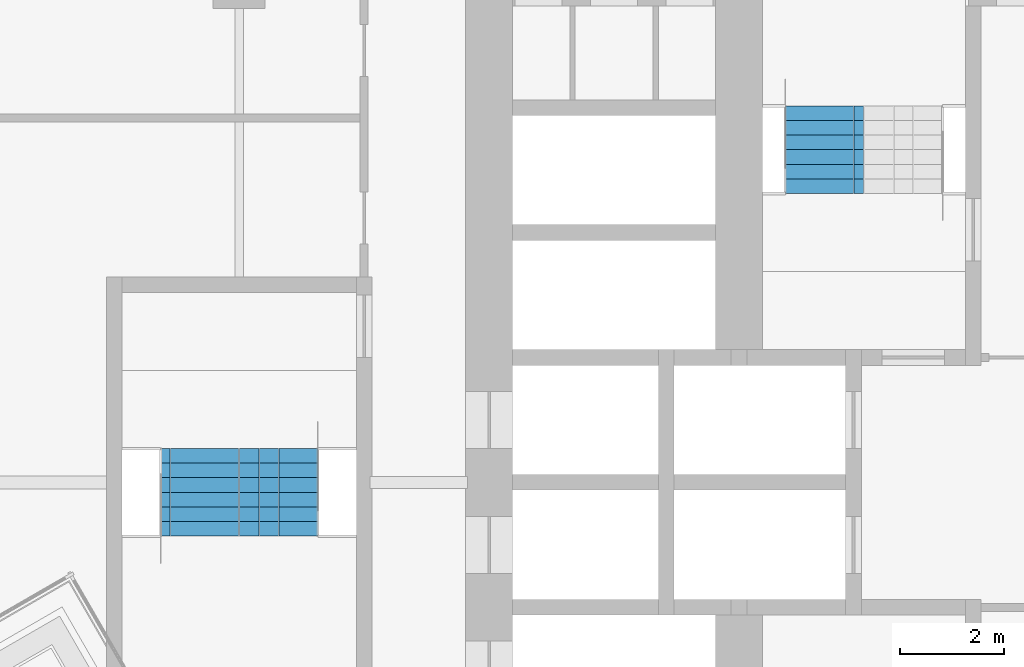
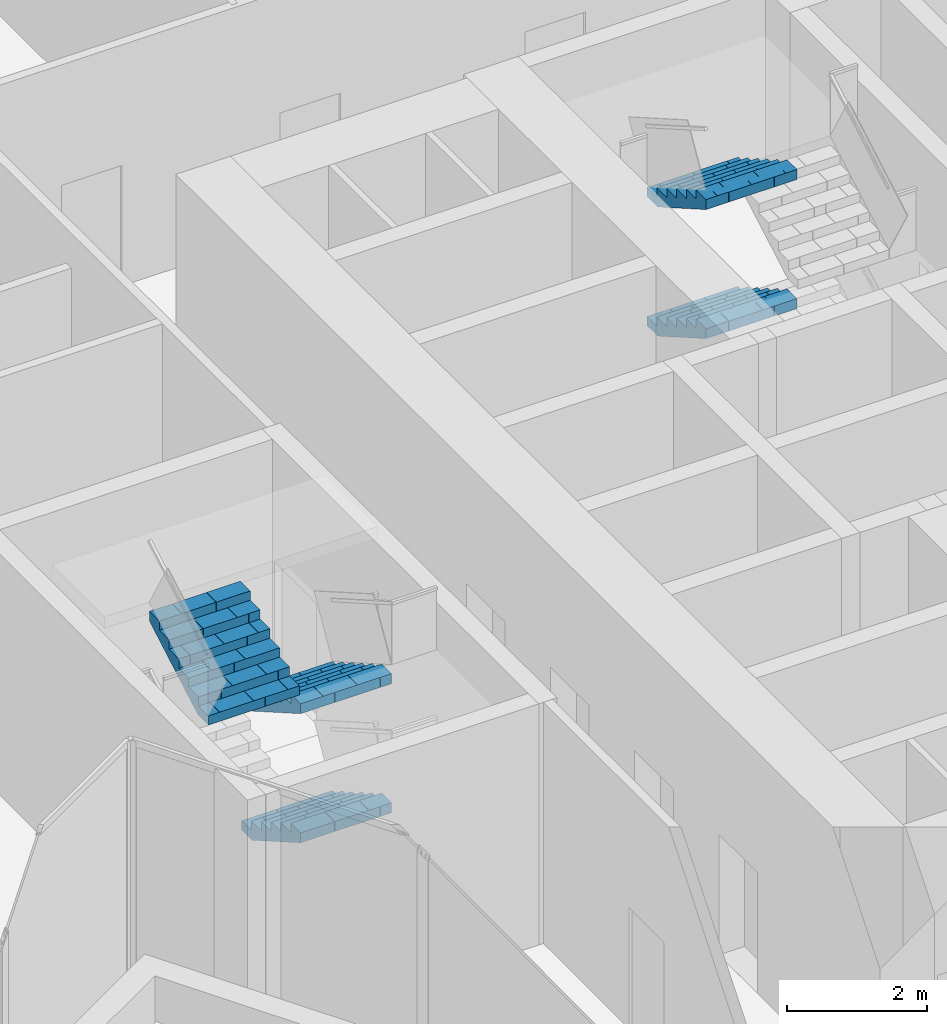
# One storey, part 22 of 27: 5 stair flights, 2 elements without a shape of their own.
"""IFC4 building model written with IfcOpenShell, lengths in metres."""

from ifc_helpers import new_model, si_unit, direction, frame, origin, place, context, subcontext, project, spatial, polyline, outline, extrude, material, type_object, element, aggregate, save


model = new_model("IFC4")

# Units and contexts
model_context = context("Model", 3, precision=1e-05, world=origin(), true_north=direction((0.0, 1.0)))
body_context = subcontext(model_context, "Body", "Model", "MODEL_VIEW")
ifc_project = project(units=[si_unit("LENGTHUNIT", "METRE"), si_unit("AREAUNIT", "SQUARE_METRE"), si_unit("VOLUMEUNIT", "CUBIC_METRE"), si_unit("PLANEANGLEUNIT", "RADIAN"), si_unit("MASSUNIT", "GRAM", prefix="KILO")], contexts=[model_context])

# Site, building, storey
site_placement = place(None, origin())
site = spatial("IfcSite", under=ifc_project, at=site_placement, CompositionType="ELEMENT")
building_placement = place(site_placement, origin())
building = spatial("IfcBuilding", under=site, at=building_placement, Name="Kolab Exchange Tower", CompositionType="ELEMENT")
storey_placement = place(building_placement, frame((0.0, 0.0, 122.89990234375)))
storey = spatial("IfcBuildingStorey", under=building, at=storey_placement, Name="L24", CompositionType="ELEMENT", Elevation=122.89990234375)

# Stair, stair flights
ifc_material = material(Name="Concrete C50/60", Category="concrete")
stair_type_1 = type_object("IfcStairType", Name="STAIR ST1 RISER 160.7", PredefinedType="DOUBLE_RETURN_STAIR", material=ifc_material)
stair_1_placement = place(storey_placement, origin())
stair_1 = element("IfcStair", 1, at=stair_1_placement, inside=storey, type_object=stair_type_1, Name="Stair 1", PredefinedType="DOUBLE_RETURN_STAIR")
stair_flight_type = type_object("IfcStairFlightType", Name="STAIR FLIGHT 1500 RISER 160.7", PredefinedType="STRAIGHT", material=ifc_material)
stair_flight_1_placement = place(storey_placement, frame((-7.9599609375, 7.22998046875, 1.125), z_axis=(0.0, 0.0, 1.0), x_axis=(0.0, -1.0, 0.0)))
stair_flight_1 = element("IfcStairFlight", 2, at=stair_flight_1_placement, type_object=stair_flight_type, Name="ST1 flight 2", NumberOfRisers=7, NumberOfTreads=6, PredefinedType="STRAIGHT", RiserHeight=0.160714286, TreadLength=0.28, context=body_context, shape_type="SweptSolid", body=[
    extrude(outline(polyline([(0.0, 0.0), (0.0, 0.16064453125), (0.280029296875, 0.16064453125), (0.280029296875, 0.321533203125), (0.56005859375, 0.321533203125), (0.56005859375, 0.482177734375), (0.840087890625, 0.482177734375), (0.840087890625, 0.642822265625), (1.1201171875, 0.642822265625), (1.1201171875, 0.803466796875), (1.39990234375, 0.803466796875), (1.39990234375, 0.96435546875), (1.679931640625, 0.96435546875), (1.679931640625, 1.125), (1.679931640625, 0.79150390625), (0.301025390625, 0.0), (0.0, 0.0)])), frame((0.0, 0.75, 0.0), z_axis=(0.0, -1.0, 0.0), x_axis=(1.0, 0.0, 0.0)), (0.0, 0.0, 1.0), 0.185791015625),
    extrude(outline(polyline([(0.0, 0.0), (0.0, 0.16064453125), (0.280029296875, 0.16064453125), (0.280029296875, 0.321533203125), (0.56005859375, 0.321533203125), (0.56005859375, 0.482177734375), (0.840087890625, 0.482177734375), (0.840087890625, 0.642822265625), (1.1201171875, 0.642822265625), (1.1201171875, 0.803466796875), (1.39990234375, 0.803466796875), (1.39990234375, 0.96435546875), (1.679931640625, 0.96435546875), (1.679931640625, 1.125), (1.679931640625, 0.79150390625), (0.301025390625, 0.0), (0.0, 0.0)])), frame((0.0, 0.562255859375, 0.0), z_axis=(0.0, -1.0, 0.0), x_axis=(1.0, 0.0, 0.0)), (0.0, 0.0, 1.0), 0.185791015625),
    extrude(outline(polyline([(0.0, 0.0), (0.0, 0.16064453125), (0.280029296875, 0.16064453125), (0.280029296875, 0.321533203125), (0.56005859375, 0.321533203125), (0.56005859375, 0.482177734375), (0.840087890625, 0.482177734375), (0.840087890625, 0.642822265625), (1.1201171875, 0.642822265625), (1.1201171875, 0.803466796875), (1.39990234375, 0.803466796875), (1.39990234375, 0.96435546875), (1.679931640625, 0.96435546875), (1.679931640625, 1.125), (1.679931640625, 0.79150390625), (0.301025390625, 0.0), (0.0, 0.0)])), frame((0.0, 0.37451171875, 0.0), z_axis=(0.0, -1.0, 0.0), x_axis=(1.0, 0.0, 0.0)), (0.0, 0.0, 1.0), 0.185791015625),
    extrude(outline(polyline([(0.0, 0.0), (0.0, 0.16064453125), (0.280029296875, 0.16064453125), (0.280029296875, 0.321533203125), (0.56005859375, 0.321533203125), (0.56005859375, 0.482177734375), (0.840087890625, 0.482177734375), (0.840087890625, 0.642822265625), (1.1201171875, 0.642822265625), (1.1201171875, 0.803466796875), (1.39990234375, 0.803466796875), (1.39990234375, 0.96435546875), (1.679931640625, 0.96435546875), (1.679931640625, 1.125), (1.679931640625, 0.79150390625), (0.301025390625, 0.0), (0.0, 0.0)])), frame((0.0, 0.186767578125, 0.0), z_axis=(0.0, -1.0, 0.0), x_axis=(1.0, 0.0, 0.0)), (0.0, 0.0, 1.0), 0.185791015625),
    extrude(outline(polyline([(0.0, 0.0), (0.0, 0.16064453125), (0.280029296875, 0.16064453125), (0.280029296875, 0.321533203125), (0.56005859375, 0.321533203125), (0.56005859375, 0.482177734375), (0.840087890625, 0.482177734375), (0.840087890625, 0.642822265625), (1.1201171875, 0.642822265625), (1.1201171875, 0.803466796875), (1.39990234375, 0.803466796875), (1.39990234375, 0.96435546875), (1.679931640625, 0.96435546875), (1.679931640625, 1.125), (1.679931640625, 0.79150390625), (0.301025390625, 0.0), (0.0, 0.0)])), frame((0.0, -0.0009765625, 0.0), z_axis=(0.0, -1.0, 0.0), x_axis=(1.0, 0.0, 0.0)), (0.0, 0.0, 1.0), 0.185791015625),
    extrude(outline(polyline([(0.0, 0.0), (0.0, 0.16064453125), (0.280029296875, 0.16064453125), (0.280029296875, 0.321533203125), (0.56005859375, 0.321533203125), (0.56005859375, 0.482177734375), (0.840087890625, 0.482177734375), (0.840087890625, 0.642822265625), (1.1201171875, 0.642822265625), (1.1201171875, 0.803466796875), (1.39990234375, 0.803466796875), (1.39990234375, 0.96435546875), (1.679931640625, 0.96435546875), (1.679931640625, 1.125), (1.679931640625, 0.79150390625), (0.301025390625, 0.0), (0.0, 0.0)])), frame((0.0, -0.188720703125, 0.0), z_axis=(0.0, -1.0, 0.0), x_axis=(1.0, 0.0, 0.0)), (0.0, 0.0, 1.0), 0.185791015625),
    extrude(outline(polyline([(0.0, 0.0), (0.0, 0.16064453125), (0.280029296875, 0.16064453125), (0.280029296875, 0.321533203125), (0.56005859375, 0.321533203125), (0.56005859375, 0.482177734375), (0.840087890625, 0.482177734375), (0.840087890625, 0.642822265625), (1.1201171875, 0.642822265625), (1.1201171875, 0.803466796875), (1.39990234375, 0.803466796875), (1.39990234375, 0.96435546875), (1.679931640625, 0.96435546875), (1.679931640625, 1.125), (1.679931640625, 0.79150390625), (0.301025390625, 0.0), (0.0, 0.0)])), frame((0.0, -0.37646484375, 0.0), z_axis=(0.0, -1.0, 0.0), x_axis=(1.0, 0.0, 0.0)), (0.0, 0.0, 1.0), 0.185791015625),
    extrude(outline(polyline([(0.0, 0.0), (0.0, 0.16064453125), (0.280029296875, 0.16064453125), (0.280029296875, 0.321533203125), (0.56005859375, 0.321533203125), (0.56005859375, 0.482177734375), (0.840087890625, 0.482177734375), (0.840087890625, 0.642822265625), (1.1201171875, 0.642822265625), (1.1201171875, 0.803466796875), (1.39990234375, 0.803466796875), (1.39990234375, 0.96435546875), (1.679931640625, 0.96435546875), (1.679931640625, 1.125), (1.679931640625, 0.79150390625), (0.301025390625, 0.0), (0.0, 0.0)])), frame((0.0, -0.564208984375, 0.0), z_axis=(0.0, -1.0, 0.0), x_axis=(1.0, 0.0, 0.0)), (0.0, 0.0, 1.0), 0.185791015625),
])
stair_flight_2_placement = place(storey_placement, frame((-7.9599609375, 7.22998046875, 3.375), z_axis=(0.0, 0.0, 1.0), x_axis=(0.0, -1.0, 0.0)))
stair_flight_2 = element("IfcStairFlight", 3, at=stair_flight_2_placement, type_object=stair_flight_type, Name="ST1 flight 4", NumberOfRisers=7, NumberOfTreads=6, PredefinedType="STRAIGHT", RiserHeight=0.160714286, TreadLength=0.28, context=body_context, shape_type="SweptSolid", body=[
    extrude(outline(polyline([(0.0, 0.0), (0.0, 0.16064453125), (0.280029296875, 0.16064453125), (0.280029296875, 0.321533203125), (0.56005859375, 0.321533203125), (0.56005859375, 0.482177734375), (0.840087890625, 0.482177734375), (0.840087890625, 0.642822265625), (1.1201171875, 0.642822265625), (1.1201171875, 0.803466796875), (1.39990234375, 0.803466796875), (1.39990234375, 0.96435546875), (1.679931640625, 0.96435546875), (1.679931640625, 1.125), (1.679931640625, 0.79150390625), (0.301025390625, 0.0), (0.0, 0.0)])), frame((0.0, 0.75, 0.0), z_axis=(0.0, -1.0, 0.0), x_axis=(1.0, 0.0, 0.0)), (0.0, 0.0, 1.0), 0.185791015625),
    extrude(outline(polyline([(0.0, 0.0), (0.0, 0.16064453125), (0.280029296875, 0.16064453125), (0.280029296875, 0.321533203125), (0.56005859375, 0.321533203125), (0.56005859375, 0.482177734375), (0.840087890625, 0.482177734375), (0.840087890625, 0.642822265625), (1.1201171875, 0.642822265625), (1.1201171875, 0.803466796875), (1.39990234375, 0.803466796875), (1.39990234375, 0.96435546875), (1.679931640625, 0.96435546875), (1.679931640625, 1.125), (1.679931640625, 0.79150390625), (0.301025390625, 0.0), (0.0, 0.0)])), frame((0.0, 0.562255859375, 0.0), z_axis=(0.0, -1.0, 0.0), x_axis=(1.0, 0.0, 0.0)), (0.0, 0.0, 1.0), 0.185791015625),
    extrude(outline(polyline([(0.0, 0.0), (0.0, 0.16064453125), (0.280029296875, 0.16064453125), (0.280029296875, 0.321533203125), (0.56005859375, 0.321533203125), (0.56005859375, 0.482177734375), (0.840087890625, 0.482177734375), (0.840087890625, 0.642822265625), (1.1201171875, 0.642822265625), (1.1201171875, 0.803466796875), (1.39990234375, 0.803466796875), (1.39990234375, 0.96435546875), (1.679931640625, 0.96435546875), (1.679931640625, 1.125), (1.679931640625, 0.79150390625), (0.301025390625, 0.0), (0.0, 0.0)])), frame((0.0, 0.37451171875, 0.0), z_axis=(0.0, -1.0, 0.0), x_axis=(1.0, 0.0, 0.0)), (0.0, 0.0, 1.0), 0.185791015625),
    extrude(outline(polyline([(0.0, 0.0), (0.0, 0.16064453125), (0.280029296875, 0.16064453125), (0.280029296875, 0.321533203125), (0.56005859375, 0.321533203125), (0.56005859375, 0.482177734375), (0.840087890625, 0.482177734375), (0.840087890625, 0.642822265625), (1.1201171875, 0.642822265625), (1.1201171875, 0.803466796875), (1.39990234375, 0.803466796875), (1.39990234375, 0.96435546875), (1.679931640625, 0.96435546875), (1.679931640625, 1.125), (1.679931640625, 0.79150390625), (0.301025390625, 0.0), (0.0, 0.0)])), frame((0.0, 0.186767578125, 0.0), z_axis=(0.0, -1.0, 0.0), x_axis=(1.0, 0.0, 0.0)), (0.0, 0.0, 1.0), 0.185791015625),
    extrude(outline(polyline([(0.0, 0.0), (0.0, 0.16064453125), (0.280029296875, 0.16064453125), (0.280029296875, 0.321533203125), (0.56005859375, 0.321533203125), (0.56005859375, 0.482177734375), (0.840087890625, 0.482177734375), (0.840087890625, 0.642822265625), (1.1201171875, 0.642822265625), (1.1201171875, 0.803466796875), (1.39990234375, 0.803466796875), (1.39990234375, 0.96435546875), (1.679931640625, 0.96435546875), (1.679931640625, 1.125), (1.679931640625, 0.79150390625), (0.301025390625, 0.0), (0.0, 0.0)])), frame((0.0, -0.0009765625, 0.0), z_axis=(0.0, -1.0, 0.0), x_axis=(1.0, 0.0, 0.0)), (0.0, 0.0, 1.0), 0.185791015625),
    extrude(outline(polyline([(0.0, 0.0), (0.0, 0.16064453125), (0.280029296875, 0.16064453125), (0.280029296875, 0.321533203125), (0.56005859375, 0.321533203125), (0.56005859375, 0.482177734375), (0.840087890625, 0.482177734375), (0.840087890625, 0.642822265625), (1.1201171875, 0.642822265625), (1.1201171875, 0.803466796875), (1.39990234375, 0.803466796875), (1.39990234375, 0.96435546875), (1.679931640625, 0.96435546875), (1.679931640625, 1.125), (1.679931640625, 0.79150390625), (0.301025390625, 0.0), (0.0, 0.0)])), frame((0.0, -0.188720703125, 0.0), z_axis=(0.0, -1.0, 0.0), x_axis=(1.0, 0.0, 0.0)), (0.0, 0.0, 1.0), 0.185791015625),
    extrude(outline(polyline([(0.0, 0.0), (0.0, 0.16064453125), (0.280029296875, 0.16064453125), (0.280029296875, 0.321533203125), (0.56005859375, 0.321533203125), (0.56005859375, 0.482177734375), (0.840087890625, 0.482177734375), (0.840087890625, 0.642822265625), (1.1201171875, 0.642822265625), (1.1201171875, 0.803466796875), (1.39990234375, 0.803466796875), (1.39990234375, 0.96435546875), (1.679931640625, 0.96435546875), (1.679931640625, 1.125), (1.679931640625, 0.79150390625), (0.301025390625, 0.0), (0.0, 0.0)])), frame((0.0, -0.37646484375, 0.0), z_axis=(0.0, -1.0, 0.0), x_axis=(1.0, 0.0, 0.0)), (0.0, 0.0, 1.0), 0.185791015625),
    extrude(outline(polyline([(0.0, 0.0), (0.0, 0.16064453125), (0.280029296875, 0.16064453125), (0.280029296875, 0.321533203125), (0.56005859375, 0.321533203125), (0.56005859375, 0.482177734375), (0.840087890625, 0.482177734375), (0.840087890625, 0.642822265625), (1.1201171875, 0.642822265625), (1.1201171875, 0.803466796875), (1.39990234375, 0.803466796875), (1.39990234375, 0.96435546875), (1.679931640625, 0.96435546875), (1.679931640625, 1.125), (1.679931640625, 0.79150390625), (0.301025390625, 0.0), (0.0, 0.0)])), frame((0.0, -0.564208984375, 0.0), z_axis=(0.0, -1.0, 0.0), x_axis=(1.0, 0.0, 0.0)), (0.0, 0.0, 1.0), 0.185791015625),
])
aggregate(stair_1, [stair_flight_1, stair_flight_2])

stair_type_2 = type_object("IfcStairType", Name="STAIR ST5 RISER 160.7", PredefinedType="DOUBLE_RETURN_STAIR", material=ifc_material)
stair_2_placement = place(storey_placement, origin())
stair_2 = element("IfcStair", 4, at=stair_2_placement, inside=storey, type_object=stair_type_2, Name="Stair 5", PredefinedType="DOUBLE_RETURN_STAIR")
stair_flight_3_placement = place(storey_placement, frame((-18.43994140625, 0.64990234375, 0.0), z_axis=(0.0, 0.0, 1.0), x_axis=(0.0, -1.0, 0.0)))
stair_flight_3 = element("IfcStairFlight", 5, at=stair_flight_3_placement, type_object=stair_flight_type, Name="ST5 flight 1", NumberOfRisers=7, NumberOfTreads=6, PredefinedType="STRAIGHT", RiserHeight=0.160714286, TreadLength=0.28, context=body_context, shape_type="SweptSolid", body=[
    extrude(outline(polyline([(0.0, 0.0), (0.0, 0.16064453125), (0.280029296875, 0.16064453125), (0.280029296875, 0.321533203125), (0.56005859375, 0.321533203125), (0.56005859375, 0.482177734375), (0.840087890625, 0.482177734375), (0.840087890625, 0.642822265625), (1.1201171875, 0.642822265625), (1.1201171875, 0.803466796875), (1.39990234375, 0.803466796875), (1.39990234375, 0.96435546875), (1.679931640625, 0.96435546875), (1.679931640625, 1.125), (1.679931640625, 0.79150390625), (0.301025390625, 0.0), (0.0, 0.0)])), frame((0.0, 0.75, 0.0), z_axis=(0.0, -1.0, 0.0), x_axis=(1.0, 0.0, 0.0)), (0.0, 0.0, 1.0), 0.185791015625),
    extrude(outline(polyline([(0.0, 0.0), (0.0, 0.16064453125), (0.280029296875, 0.16064453125), (0.280029296875, 0.321533203125), (0.56005859375, 0.321533203125), (0.56005859375, 0.482177734375), (0.840087890625, 0.482177734375), (0.840087890625, 0.642822265625), (1.1201171875, 0.642822265625), (1.1201171875, 0.803466796875), (1.39990234375, 0.803466796875), (1.39990234375, 0.96435546875), (1.679931640625, 0.96435546875), (1.679931640625, 1.125), (1.679931640625, 0.79150390625), (0.301025390625, 0.0), (0.0, 0.0)])), frame((0.0, 0.562255859375, 0.0), z_axis=(0.0, -1.0, 0.0), x_axis=(1.0, 0.0, 0.0)), (0.0, 0.0, 1.0), 0.185791015625),
    extrude(outline(polyline([(0.0, 0.0), (0.0, 0.16064453125), (0.280029296875, 0.16064453125), (0.280029296875, 0.321533203125), (0.56005859375, 0.321533203125), (0.56005859375, 0.482177734375), (0.840087890625, 0.482177734375), (0.840087890625, 0.642822265625), (1.1201171875, 0.642822265625), (1.1201171875, 0.803466796875), (1.39990234375, 0.803466796875), (1.39990234375, 0.96435546875), (1.679931640625, 0.96435546875), (1.679931640625, 1.125), (1.679931640625, 0.79150390625), (0.301025390625, 0.0), (0.0, 0.0)])), frame((0.0, 0.37451171875, 0.0), z_axis=(0.0, -1.0, 0.0), x_axis=(1.0, 0.0, 0.0)), (0.0, 0.0, 1.0), 0.185791015625),
    extrude(outline(polyline([(0.0, 0.0), (0.0, 0.16064453125), (0.280029296875, 0.16064453125), (0.280029296875, 0.321533203125), (0.56005859375, 0.321533203125), (0.56005859375, 0.482177734375), (0.840087890625, 0.482177734375), (0.840087890625, 0.642822265625), (1.1201171875, 0.642822265625), (1.1201171875, 0.803466796875), (1.39990234375, 0.803466796875), (1.39990234375, 0.96435546875), (1.679931640625, 0.96435546875), (1.679931640625, 1.125), (1.679931640625, 0.79150390625), (0.301025390625, 0.0), (0.0, 0.0)])), frame((0.0, 0.186767578125, 0.0), z_axis=(0.0, -1.0, 0.0), x_axis=(1.0, 0.0, 0.0)), (0.0, 0.0, 1.0), 0.185791015625),
    extrude(outline(polyline([(0.0, 0.0), (0.0, 0.16064453125), (0.280029296875, 0.16064453125), (0.280029296875, 0.321533203125), (0.56005859375, 0.321533203125), (0.56005859375, 0.482177734375), (0.840087890625, 0.482177734375), (0.840087890625, 0.642822265625), (1.1201171875, 0.642822265625), (1.1201171875, 0.803466796875), (1.39990234375, 0.803466796875), (1.39990234375, 0.96435546875), (1.679931640625, 0.96435546875), (1.679931640625, 1.125), (1.679931640625, 0.79150390625), (0.301025390625, 0.0), (0.0, 0.0)])), frame((0.0, -0.0009765625, 0.0), z_axis=(0.0, -1.0, 0.0), x_axis=(1.0, 0.0, 0.0)), (0.0, 0.0, 1.0), 0.185791015625),
    extrude(outline(polyline([(0.0, 0.0), (0.0, 0.16064453125), (0.280029296875, 0.16064453125), (0.280029296875, 0.321533203125), (0.56005859375, 0.321533203125), (0.56005859375, 0.482177734375), (0.840087890625, 0.482177734375), (0.840087890625, 0.642822265625), (1.1201171875, 0.642822265625), (1.1201171875, 0.803466796875), (1.39990234375, 0.803466796875), (1.39990234375, 0.96435546875), (1.679931640625, 0.96435546875), (1.679931640625, 1.125), (1.679931640625, 0.79150390625), (0.301025390625, 0.0), (0.0, 0.0)])), frame((0.0, -0.188720703125, 0.0), z_axis=(0.0, -1.0, 0.0), x_axis=(1.0, 0.0, 0.0)), (0.0, 0.0, 1.0), 0.185791015625),
    extrude(outline(polyline([(0.0, 0.0), (0.0, 0.16064453125), (0.280029296875, 0.16064453125), (0.280029296875, 0.321533203125), (0.56005859375, 0.321533203125), (0.56005859375, 0.482177734375), (0.840087890625, 0.482177734375), (0.840087890625, 0.642822265625), (1.1201171875, 0.642822265625), (1.1201171875, 0.803466796875), (1.39990234375, 0.803466796875), (1.39990234375, 0.96435546875), (1.679931640625, 0.96435546875), (1.679931640625, 1.125), (1.679931640625, 0.79150390625), (0.301025390625, 0.0), (0.0, 0.0)])), frame((0.0, -0.37646484375, 0.0), z_axis=(0.0, -1.0, 0.0), x_axis=(1.0, 0.0, 0.0)), (0.0, 0.0, 1.0), 0.185791015625),
    extrude(outline(polyline([(0.0, 0.0), (0.0, 0.16064453125), (0.280029296875, 0.16064453125), (0.280029296875, 0.321533203125), (0.56005859375, 0.321533203125), (0.56005859375, 0.482177734375), (0.840087890625, 0.482177734375), (0.840087890625, 0.642822265625), (1.1201171875, 0.642822265625), (1.1201171875, 0.803466796875), (1.39990234375, 0.803466796875), (1.39990234375, 0.96435546875), (1.679931640625, 0.96435546875), (1.679931640625, 1.125), (1.679931640625, 0.79150390625), (0.301025390625, 0.0), (0.0, 0.0)])), frame((0.0, -0.564208984375, 0.0), z_axis=(0.0, -1.0, 0.0), x_axis=(1.0, 0.0, 0.0)), (0.0, 0.0, 1.0), 0.185791015625),
])
stair_flight_4_placement = place(storey_placement, frame((-18.43994140625, 0.64990234375, 2.25), z_axis=(0.0, 0.0, 1.0), x_axis=(0.0, -1.0, 0.0)))
stair_flight_4 = element("IfcStairFlight", 6, at=stair_flight_4_placement, type_object=stair_flight_type, Name="ST5 flight 3", NumberOfRisers=7, NumberOfTreads=6, PredefinedType="STRAIGHT", RiserHeight=0.160714286, TreadLength=0.28, context=body_context, shape_type="SweptSolid", body=[
    extrude(outline(polyline([(0.0, 0.0), (0.0, 0.16064453125), (0.280029296875, 0.16064453125), (0.280029296875, 0.321533203125), (0.56005859375, 0.321533203125), (0.56005859375, 0.482177734375), (0.840087890625, 0.482177734375), (0.840087890625, 0.642822265625), (1.1201171875, 0.642822265625), (1.1201171875, 0.803466796875), (1.39990234375, 0.803466796875), (1.39990234375, 0.96435546875), (1.679931640625, 0.96435546875), (1.679931640625, 1.125), (1.679931640625, 0.79150390625), (0.301025390625, 0.0), (0.0, 0.0)])), frame((0.0, 0.75, 0.0), z_axis=(0.0, -1.0, 0.0), x_axis=(1.0, 0.0, 0.0)), (0.0, 0.0, 1.0), 0.185791015625),
    extrude(outline(polyline([(0.0, 0.0), (0.0, 0.16064453125), (0.280029296875, 0.16064453125), (0.280029296875, 0.321533203125), (0.56005859375, 0.321533203125), (0.56005859375, 0.482177734375), (0.840087890625, 0.482177734375), (0.840087890625, 0.642822265625), (1.1201171875, 0.642822265625), (1.1201171875, 0.803466796875), (1.39990234375, 0.803466796875), (1.39990234375, 0.96435546875), (1.679931640625, 0.96435546875), (1.679931640625, 1.125), (1.679931640625, 0.79150390625), (0.301025390625, 0.0), (0.0, 0.0)])), frame((0.0, 0.562255859375, 0.0), z_axis=(0.0, -1.0, 0.0), x_axis=(1.0, 0.0, 0.0)), (0.0, 0.0, 1.0), 0.185791015625),
    extrude(outline(polyline([(0.0, 0.0), (0.0, 0.16064453125), (0.280029296875, 0.16064453125), (0.280029296875, 0.321533203125), (0.56005859375, 0.321533203125), (0.56005859375, 0.482177734375), (0.840087890625, 0.482177734375), (0.840087890625, 0.642822265625), (1.1201171875, 0.642822265625), (1.1201171875, 0.803466796875), (1.39990234375, 0.803466796875), (1.39990234375, 0.96435546875), (1.679931640625, 0.96435546875), (1.679931640625, 1.125), (1.679931640625, 0.79150390625), (0.301025390625, 0.0), (0.0, 0.0)])), frame((0.0, 0.37451171875, 0.0), z_axis=(0.0, -1.0, 0.0), x_axis=(1.0, 0.0, 0.0)), (0.0, 0.0, 1.0), 0.185791015625),
    extrude(outline(polyline([(0.0, 0.0), (0.0, 0.16064453125), (0.280029296875, 0.16064453125), (0.280029296875, 0.321533203125), (0.56005859375, 0.321533203125), (0.56005859375, 0.482177734375), (0.840087890625, 0.482177734375), (0.840087890625, 0.642822265625), (1.1201171875, 0.642822265625), (1.1201171875, 0.803466796875), (1.39990234375, 0.803466796875), (1.39990234375, 0.96435546875), (1.679931640625, 0.96435546875), (1.679931640625, 1.125), (1.679931640625, 0.79150390625), (0.301025390625, 0.0), (0.0, 0.0)])), frame((0.0, 0.186767578125, 0.0), z_axis=(0.0, -1.0, 0.0), x_axis=(1.0, 0.0, 0.0)), (0.0, 0.0, 1.0), 0.185791015625),
    extrude(outline(polyline([(0.0, 0.0), (0.0, 0.16064453125), (0.280029296875, 0.16064453125), (0.280029296875, 0.321533203125), (0.56005859375, 0.321533203125), (0.56005859375, 0.482177734375), (0.840087890625, 0.482177734375), (0.840087890625, 0.642822265625), (1.1201171875, 0.642822265625), (1.1201171875, 0.803466796875), (1.39990234375, 0.803466796875), (1.39990234375, 0.96435546875), (1.679931640625, 0.96435546875), (1.679931640625, 1.125), (1.679931640625, 0.79150390625), (0.301025390625, 0.0), (0.0, 0.0)])), frame((0.0, -0.0009765625, 0.0), z_axis=(0.0, -1.0, 0.0), x_axis=(1.0, 0.0, 0.0)), (0.0, 0.0, 1.0), 0.185791015625),
    extrude(outline(polyline([(0.0, 0.0), (0.0, 0.16064453125), (0.280029296875, 0.16064453125), (0.280029296875, 0.321533203125), (0.56005859375, 0.321533203125), (0.56005859375, 0.482177734375), (0.840087890625, 0.482177734375), (0.840087890625, 0.642822265625), (1.1201171875, 0.642822265625), (1.1201171875, 0.803466796875), (1.39990234375, 0.803466796875), (1.39990234375, 0.96435546875), (1.679931640625, 0.96435546875), (1.679931640625, 1.125), (1.679931640625, 0.79150390625), (0.301025390625, 0.0), (0.0, 0.0)])), frame((0.0, -0.188720703125, 0.0), z_axis=(0.0, -1.0, 0.0), x_axis=(1.0, 0.0, 0.0)), (0.0, 0.0, 1.0), 0.185791015625),
    extrude(outline(polyline([(0.0, 0.0), (0.0, 0.16064453125), (0.280029296875, 0.16064453125), (0.280029296875, 0.321533203125), (0.56005859375, 0.321533203125), (0.56005859375, 0.482177734375), (0.840087890625, 0.482177734375), (0.840087890625, 0.642822265625), (1.1201171875, 0.642822265625), (1.1201171875, 0.803466796875), (1.39990234375, 0.803466796875), (1.39990234375, 0.96435546875), (1.679931640625, 0.96435546875), (1.679931640625, 1.125), (1.679931640625, 0.79150390625), (0.301025390625, 0.0), (0.0, 0.0)])), frame((0.0, -0.37646484375, 0.0), z_axis=(0.0, -1.0, 0.0), x_axis=(1.0, 0.0, 0.0)), (0.0, 0.0, 1.0), 0.185791015625),
    extrude(outline(polyline([(0.0, 0.0), (0.0, 0.16064453125), (0.280029296875, 0.16064453125), (0.280029296875, 0.321533203125), (0.56005859375, 0.321533203125), (0.56005859375, 0.482177734375), (0.840087890625, 0.482177734375), (0.840087890625, 0.642822265625), (1.1201171875, 0.642822265625), (1.1201171875, 0.803466796875), (1.39990234375, 0.803466796875), (1.39990234375, 0.96435546875), (1.679931640625, 0.96435546875), (1.679931640625, 1.125), (1.679931640625, 0.79150390625), (0.301025390625, 0.0), (0.0, 0.0)])), frame((0.0, -0.564208984375, 0.0), z_axis=(0.0, -1.0, 0.0), x_axis=(1.0, 0.0, 0.0)), (0.0, 0.0, 1.0), 0.185791015625),
])
stair_flight_5_placement = place(storey_placement, frame((-19.9599609375, -1.030029296875, 3.375), z_axis=(0.0, 0.0, 1.0), x_axis=(0.0, 1.0, 0.0)))
stair_flight_5 = element("IfcStairFlight", 7, at=stair_flight_5_placement, type_object=stair_flight_type, Name="ST5 flight 4", NumberOfRisers=7, NumberOfTreads=6, PredefinedType="STRAIGHT", RiserHeight=0.160714286, TreadLength=0.28, context=body_context, shape_type="SweptSolid", body=[
    extrude(outline(polyline([(0.0, 0.0), (0.0, 0.16064453125), (0.280029296875, 0.16064453125), (0.280029296875, 0.321533203125), (0.56005859375, 0.321533203125), (0.56005859375, 0.482177734375), (0.840087890625, 0.482177734375), (0.840087890625, 0.642822265625), (1.1201171875, 0.642822265625), (1.1201171875, 0.803466796875), (1.39990234375, 0.803466796875), (1.39990234375, 0.96435546875), (1.679931640625, 0.96435546875), (1.679931640625, 1.125), (1.679931640625, 0.79150390625), (0.301025390625, 0.0), (0.0, 0.0)])), frame((0.0, 0.75, 0.0), z_axis=(0.0, -1.0, 0.0), x_axis=(1.0, 0.0, 0.0)), (0.0, 0.0, 1.0), 0.185791015625),
    extrude(outline(polyline([(0.0, 0.0), (0.0, 0.16064453125), (0.280029296875, 0.16064453125), (0.280029296875, 0.321533203125), (0.56005859375, 0.321533203125), (0.56005859375, 0.482177734375), (0.840087890625, 0.482177734375), (0.840087890625, 0.642822265625), (1.1201171875, 0.642822265625), (1.1201171875, 0.803466796875), (1.39990234375, 0.803466796875), (1.39990234375, 0.96435546875), (1.679931640625, 0.96435546875), (1.679931640625, 1.125), (1.679931640625, 0.79150390625), (0.301025390625, 0.0), (0.0, 0.0)])), frame((0.0, 0.562255859375, 0.0), z_axis=(0.0, -1.0, 0.0), x_axis=(1.0, 0.0, 0.0)), (0.0, 0.0, 1.0), 0.185791015625),
    extrude(outline(polyline([(0.0, 0.0), (0.0, 0.16064453125), (0.280029296875, 0.16064453125), (0.280029296875, 0.321533203125), (0.56005859375, 0.321533203125), (0.56005859375, 0.482177734375), (0.840087890625, 0.482177734375), (0.840087890625, 0.642822265625), (1.1201171875, 0.642822265625), (1.1201171875, 0.803466796875), (1.39990234375, 0.803466796875), (1.39990234375, 0.96435546875), (1.679931640625, 0.96435546875), (1.679931640625, 1.125), (1.679931640625, 0.79150390625), (0.301025390625, 0.0), (0.0, 0.0)])), frame((0.0, 0.37451171875, 0.0), z_axis=(0.0, -1.0, 0.0), x_axis=(1.0, 0.0, 0.0)), (0.0, 0.0, 1.0), 0.185791015625),
    extrude(outline(polyline([(0.0, 0.0), (0.0, 0.16064453125), (0.280029296875, 0.16064453125), (0.280029296875, 0.321533203125), (0.56005859375, 0.321533203125), (0.56005859375, 0.482177734375), (0.840087890625, 0.482177734375), (0.840087890625, 0.642822265625), (1.1201171875, 0.642822265625), (1.1201171875, 0.803466796875), (1.39990234375, 0.803466796875), (1.39990234375, 0.96435546875), (1.679931640625, 0.96435546875), (1.679931640625, 1.125), (1.679931640625, 0.79150390625), (0.301025390625, 0.0), (0.0, 0.0)])), frame((0.0, 0.186767578125, 0.0), z_axis=(0.0, -1.0, 0.0), x_axis=(1.0, 0.0, 0.0)), (0.0, 0.0, 1.0), 0.185791015625),
    extrude(outline(polyline([(0.0, 0.0), (0.0, 0.16064453125), (0.280029296875, 0.16064453125), (0.280029296875, 0.321533203125), (0.56005859375, 0.321533203125), (0.56005859375, 0.482177734375), (0.840087890625, 0.482177734375), (0.840087890625, 0.642822265625), (1.1201171875, 0.642822265625), (1.1201171875, 0.803466796875), (1.39990234375, 0.803466796875), (1.39990234375, 0.96435546875), (1.679931640625, 0.96435546875), (1.679931640625, 1.125), (1.679931640625, 0.79150390625), (0.301025390625, 0.0), (0.0, 0.0)])), frame((0.0, -0.0009765625, 0.0), z_axis=(0.0, -1.0, 0.0), x_axis=(1.0, 0.0, 0.0)), (0.0, 0.0, 1.0), 0.185791015625),
    extrude(outline(polyline([(0.0, 0.0), (0.0, 0.16064453125), (0.280029296875, 0.16064453125), (0.280029296875, 0.321533203125), (0.56005859375, 0.321533203125), (0.56005859375, 0.482177734375), (0.840087890625, 0.482177734375), (0.840087890625, 0.642822265625), (1.1201171875, 0.642822265625), (1.1201171875, 0.803466796875), (1.39990234375, 0.803466796875), (1.39990234375, 0.96435546875), (1.679931640625, 0.96435546875), (1.679931640625, 1.125), (1.679931640625, 0.79150390625), (0.301025390625, 0.0), (0.0, 0.0)])), frame((0.0, -0.188720703125, 0.0), z_axis=(0.0, -1.0, 0.0), x_axis=(1.0, 0.0, 0.0)), (0.0, 0.0, 1.0), 0.185791015625),
    extrude(outline(polyline([(0.0, 0.0), (0.0, 0.16064453125), (0.280029296875, 0.16064453125), (0.280029296875, 0.321533203125), (0.56005859375, 0.321533203125), (0.56005859375, 0.482177734375), (0.840087890625, 0.482177734375), (0.840087890625, 0.642822265625), (1.1201171875, 0.642822265625), (1.1201171875, 0.803466796875), (1.39990234375, 0.803466796875), (1.39990234375, 0.96435546875), (1.679931640625, 0.96435546875), (1.679931640625, 1.125), (1.679931640625, 0.79150390625), (0.301025390625, 0.0), (0.0, 0.0)])), frame((0.0, -0.37646484375, 0.0), z_axis=(0.0, -1.0, 0.0), x_axis=(1.0, 0.0, 0.0)), (0.0, 0.0, 1.0), 0.185791015625),
    extrude(outline(polyline([(0.0, 0.0), (0.0, 0.16064453125), (0.280029296875, 0.16064453125), (0.280029296875, 0.321533203125), (0.56005859375, 0.321533203125), (0.56005859375, 0.482177734375), (0.840087890625, 0.482177734375), (0.840087890625, 0.642822265625), (1.1201171875, 0.642822265625), (1.1201171875, 0.803466796875), (1.39990234375, 0.803466796875), (1.39990234375, 0.96435546875), (1.679931640625, 0.96435546875), (1.679931640625, 1.125), (1.679931640625, 0.79150390625), (0.301025390625, 0.0), (0.0, 0.0)])), frame((0.0, -0.564208984375, 0.0), z_axis=(0.0, -1.0, 0.0), x_axis=(1.0, 0.0, 0.0)), (0.0, 0.0, 1.0), 0.185791015625),
])
aggregate(stair_2, [stair_flight_3, stair_flight_4, stair_flight_5])

save(model, "model.ifc")
